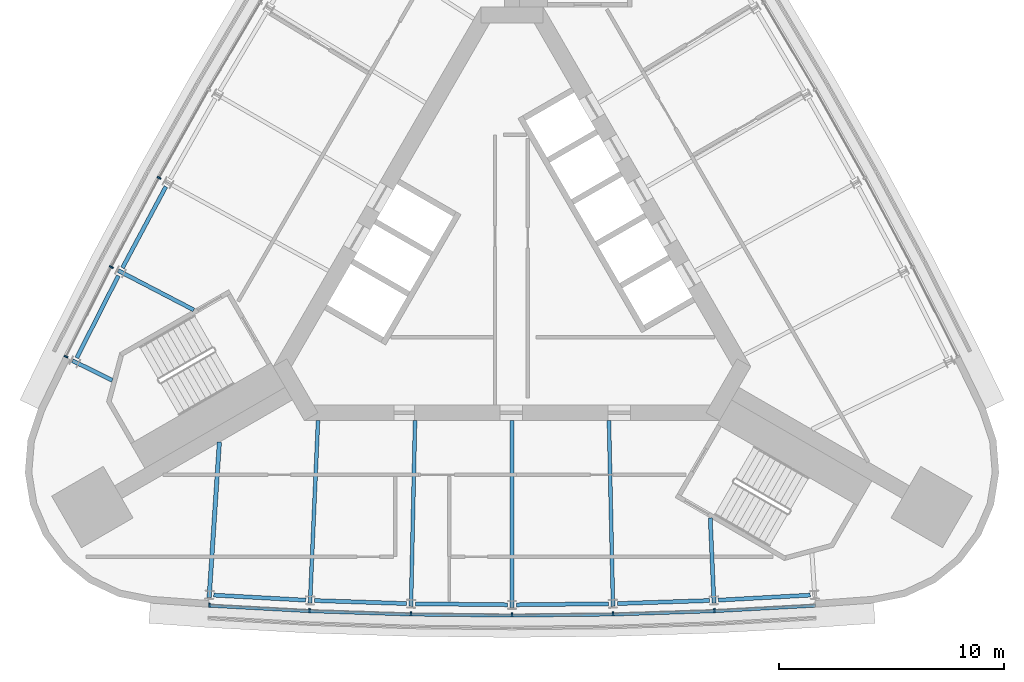
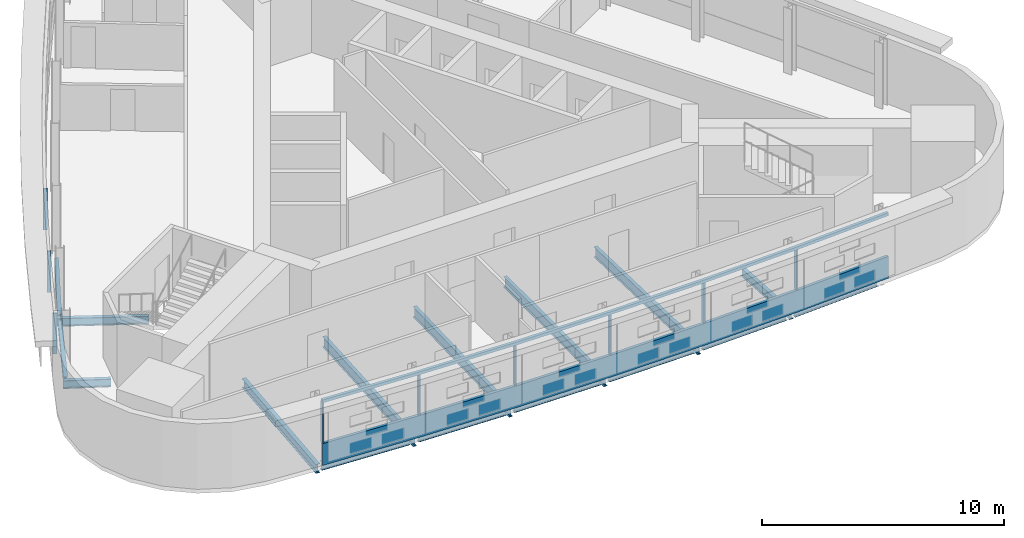
# One storey, part 2 of 11: 16 beams, 11 members, 2 elements without a shape of their own.
"""IFC4 building model written with IfcOpenShell, lengths in metres."""

import ifcopenshell
import ifcopenshell.guid

model = None  # the IFC model being written
_history = None  # IfcOwnerHistory: only IFC2X3 demands one
_inside = {}  # id of a spatial element -> (the spatial element, [elements in it])
_under = {}  # id of a project, library or spatial element -> (it, [spatial elements below it])
_declared = {}  # id of a project -> (the project, [libraries it declares])
_typed = {}  # id of a type object -> (the type object, [elements of that type])
_made_of = {}  # id of a material, layer set ... -> (it, [elements and type objects made of it])


def new_model(schema):
    """Start an empty IFC model of exactly this schema.

    Asked for "IFC4X3", IfcOpenShell would pick the latest addendum, in which some entities
    have other attributes; the version numbers below select the first issue.
    IFC2X3 requires an IfcOwnerHistory on every rooted entity: one is made here for all.
    """
    global model, _history
    if schema == "IFC4X3":
        model = ifcopenshell.file(schema_version=(4, 3, 0, 0))
    else:
        model = ifcopenshell.file(schema=schema)
    _inside.clear()
    _under.clear()
    _declared.clear()
    _typed.clear()
    _made_of.clear()
    _history = None
    if model.schema == "IFC2X3":
        org = make("IfcOrganization", Name="unknown")
        user = make(
            "IfcPersonAndOrganization",
            ThePerson=make("IfcPerson", FamilyName="unknown"),
            TheOrganization=org,
        )
        app = make(
            "IfcApplication",
            ApplicationDeveloper=org,
            Version="unknown",
            ApplicationFullName="unknown",
            ApplicationIdentifier="unknown",
        )
        _history = make(
            "IfcOwnerHistory",
            OwningUser=user,
            OwningApplication=app,
            ChangeAction="ADDED",
            CreationDate=0,
        )
    return model


def make(cls, **values):
    """One entity of the class cls with the attributes given. An attribute that is None is left unset."""
    return model.create_entity(
        cls, **{name: value for name, value in values.items() if value is not None}
    )


def rooted(cls, **values):
    """An entity with a GlobalId (a new one), such as an element, a storey or a relation."""
    return make(cls, GlobalId=ifcopenshell.guid.new(), OwnerHistory=_history, **values)


def si_unit(unit_type, name, prefix=None):
    """IfcSIUnit, for example si_unit("LENGTHUNIT", "METRE", prefix="MILLI")."""
    return make("IfcSIUnit", UnitType=unit_type, Prefix=prefix, Name=name)


def assignment(units):
    """IfcUnitAssignment: the units of a project."""
    return None if units is None else make("IfcUnitAssignment", Units=units)


def point(xyz):
    """IfcCartesianPoint."""
    return None if xyz is None else make("IfcCartesianPoint", Coordinates=xyz)


def direction(xyz):
    """IfcDirection."""
    return None if xyz is None else make("IfcDirection", DirectionRatios=xyz)


def frame(location, z_axis=None, x_axis=None):
    """IfcAxis2Placement3D, a coordinate frame: its origin and axes. An axis left out is left unset."""
    return make(
        "IfcAxis2Placement3D",
        Location=point(location),
        Axis=direction(z_axis),
        RefDirection=direction(x_axis),
    )


def frame_2d(location, x_axis=None):
    """IfcAxis2Placement2D, a coordinate frame in the plane: its origin and x axis."""
    return make(
        "IfcAxis2Placement2D", Location=point(location), RefDirection=direction(x_axis)
    )


def origin():
    """The frame at (0, 0, 0) with its axes left unset."""
    return frame((0.0, 0.0, 0.0))


def origin_2d():
    """The frame at (0, 0) in the plane with its x axis left unset."""
    return frame_2d((0.0, 0.0))


def place(relative_to, where):
    """IfcLocalPlacement: puts the frame where relative to a parent placement (None: the world)."""
    return make(
        "IfcLocalPlacement", PlacementRelTo=relative_to, RelativePlacement=where
    )


def context(
    kind, dimensions, precision=None, world=None, true_north=None, identifier=None
):
    """IfcGeometricRepresentationContext, for example the 3D "Model" context."""
    return make(
        "IfcGeometricRepresentationContext",
        ContextIdentifier=identifier,
        ContextType=kind,
        CoordinateSpaceDimension=dimensions,
        Precision=precision,
        WorldCoordinateSystem=world,
        TrueNorth=true_north,
    )


def subcontext(parent, identifier, kind, view, scale=None):
    """IfcGeometricRepresentationSubContext, for example "Body" below "Model"."""
    return make(
        "IfcGeometricRepresentationSubContext",
        ContextIdentifier=identifier,
        ContextType=kind,
        ParentContext=parent,
        TargetScale=scale,
        TargetView=view,
    )


def project(units=None, contexts=None):
    """IfcProject with its units and contexts."""
    return rooted(
        "IfcProject",
        Name="project",
        RepresentationContexts=contexts,
        UnitsInContext=assignment(units),
    )


def spatial(cls, under=None, at=None, **own):
    """A site, building, storey or space (cls), placed at a placement, below another one or the project."""
    s = rooted(cls, ObjectPlacement=at, **own)
    if under is not None:
        _under.setdefault(under.id(), (under, []))[1].append(s)
    return s


def polyline(points):
    """IfcPolyline through the points."""
    return make("IfcPolyline", Points=[point(p) for p in points])


def profile(cls, at=None, kind="AREA", **sizes):
    """A parametric profile (cls). Its sizes go by their IFC names, for example OverallWidth=200.0."""
    return make(cls, ProfileType=kind, Position=at, **sizes)


def rectangle(**sizes):
    """IfcRectangleProfileDef."""
    return profile("IfcRectangleProfileDef", **sizes)


def i_section(**sizes):
    """IfcIShapeProfileDef."""
    return profile("IfcIShapeProfileDef", **sizes)


def outline(outer, holes=None, kind="AREA"):
    """IfcArbitraryClosedProfileDef: a profile drawn as a closed curve; with holes, ...WithVoids."""
    if holes is None:
        return make("IfcArbitraryClosedProfileDef", ProfileType=kind, OuterCurve=outer)
    return make(
        "IfcArbitraryProfileDefWithVoids",
        ProfileType=kind,
        OuterCurve=outer,
        InnerCurves=holes,
    )


def extrude(swept, where, along, depth):
    """IfcExtrudedAreaSolid: the profile swept, set in the frame where, extruded along a direction by depth."""
    return make(
        "IfcExtrudedAreaSolid",
        SweptArea=swept,
        Position=where,
        ExtrudedDirection=direction(along),
        Depth=depth,
    )


def shape(context_of_items, identifier, shape_type, items):
    """IfcShapeRepresentation: the items that make up one representation, for example the "Body"."""
    return make(
        "IfcShapeRepresentation",
        ContextOfItems=context_of_items,
        RepresentationIdentifier=identifier,
        RepresentationType=shape_type,
        Items=items,
    )


def material(Name=None, Category=None):
    """IfcMaterial."""
    return make("IfcMaterial", Name=Name, Category=Category)


def material_profile(
    of_material, cross_section, Name=None, Category=None, Priority=None
):
    """IfcMaterialProfile: a cross section and its material."""
    return make(
        "IfcMaterialProfile",
        Name=Name,
        Material=of_material,
        Profile=cross_section,
        Priority=Priority,
        Category=Category,
    )


def profile_set(profiles, Name=None, composite=None):
    """IfcMaterialProfileSet."""
    return make(
        "IfcMaterialProfileSet",
        Name=Name,
        MaterialProfiles=profiles,
        CompositeProfile=composite,
    )


def made_of(thing, what):
    """Note that an element or type object is made of a material, layer set ...; save() writes the relation."""
    if what is not None:
        _made_of.setdefault(what.id(), (what, []))[1].append(thing)
    return thing


def type_object(cls, material=None, **own):
    """A type object (cls), such as IfcWallType, which elements share."""
    return made_of(rooted(cls, **own), material)


def element(
    cls,
    number,
    at=None,
    inside=None,
    cuts=None,
    type_object=None,
    material=None,
    context=None,
    identifier="Body",
    shape_type=None,
    held_by="IfcProductDefinitionShape",
    body=None,
    shapes=None,
    **own,
):
    """One element of the class cls, such as IfcWall. Its Tag is "e" and its number.

    at: its placement. inside: the storey or other place that contains it. cuts: it is an
    opening in that element (IfcRelVoidsElement). A single representation is given by context,
    identifier, shape_type and body (its items); several are given by shapes. held_by: the class
    of the entity that holds the representations. save() writes the other relations.
    """
    e = rooted(cls, Tag="e%d" % number, ObjectPlacement=at, **own)
    if body is not None:
        shapes = [shape(context, identifier, shape_type, body)]
    if shapes is not None:
        e.Representation = make(held_by, Representations=shapes)
    if inside is not None:
        _inside.setdefault(inside.id(), (inside, []))[1].append(e)
    if cuts is not None:
        rooted(
            "IfcRelVoidsElement", RelatingBuildingElement=cuts, RelatedOpeningElement=e
        )
    if type_object is not None:
        _typed.setdefault(type_object.id(), (type_object, []))[1].append(e)
    return made_of(e, material)


def aggregate(whole, parts):
    """IfcRelAggregates: a whole, such as a stair, and the parts it consists of."""
    return rooted("IfcRelAggregates", RelatingObject=whole, RelatedObjects=parts)


def save(model, path):
    """Write the relations noted so far, then the file.

    IfcRelAggregates (storeys below a building ...), IfcRelContainedInSpatialStructure (elements
    in a storey), IfcRelDefinesByType, IfcRelAssociatesMaterial and IfcRelDeclares: one each for
    every whole, place, type object, material and project.
    """
    for whole, parts in _under.values():
        aggregate(whole, parts)
    for where, things in _inside.values():
        rooted(
            "IfcRelContainedInSpatialStructure",
            RelatedElements=things,
            RelatingStructure=where,
        )
    for kind, things in _typed.values():
        rooted("IfcRelDefinesByType", RelatedObjects=things, RelatingType=kind)
    for what, things in _made_of.values():
        rooted("IfcRelAssociatesMaterial", RelatedObjects=things, RelatingMaterial=what)
    for by, libraries in _declared.values():
        rooted("IfcRelDeclares", RelatingContext=by, RelatedDefinitions=libraries)
    model.write(path)


model = new_model("IFC4")

# Units and contexts
model_context = context("Model", 3, precision=1e-05, world=origin(), true_north=direction((0.0, 1.0)))
body_context = subcontext(model_context, "Body", "Model", "MODEL_VIEW")
ifc_project = project(units=[si_unit("LENGTHUNIT", "METRE"), si_unit("AREAUNIT", "SQUARE_METRE"), si_unit("VOLUMEUNIT", "CUBIC_METRE"), si_unit("PLANEANGLEUNIT", "RADIAN"), si_unit("MASSUNIT", "GRAM", prefix="KILO")], contexts=[model_context])

# Site, building, storey
site_placement = place(None, origin())
site = spatial("IfcSite", under=ifc_project, at=site_placement, CompositionType="ELEMENT")
building_placement = place(site_placement, origin())
building = spatial("IfcBuilding", under=site, at=building_placement, Name="Noor Cloister Tower", CompositionType="ELEMENT")
storey_placement = place(building_placement, frame((0.0, 0.0, 206.699951171875)))
storey = spatial("IfcBuildingStorey", under=building, at=storey_placement, Name="L53", CompositionType="ELEMENT", Elevation=206.699951171875)

# Curtain wall, member
ifc_material_1 = material(Name="Aluminium 6063-T6 anodised", Category="aluminium")
curtain_wall_type = type_object("IfcCurtainWallType", Name="Ribbon curtain wall, upper tower CW5", PredefinedType="NOTDEFINED", material=ifc_material_1)
curtain_wall_1_placement = place(storey_placement, origin())
curtain_wall_1 = element("IfcCurtainWall", 1, at=curtain_wall_1_placement, inside=storey, type_object=curtain_wall_type, Name="CW5 L53 S run 2", PredefinedType="NOTDEFINED")
ifc_material_2 = material(Name="Aluminium 6063-T6 anodised", Category="aluminium")
member_type_1 = type_object("IfcMemberType", Name="Head transom CW5 150", PredefinedType="USERDEFINED", material=ifc_material_2)
member_1_placement = place(storey_placement, frame((0.0, 0.0, 3.150146484375)))
member_1 = element("IfcMember", 2, at=member_1_placement, type_object=member_type_1, Name="CW5 head transom", ObjectType="TRANSOM", PredefinedType="USERDEFINED", context=body_context, shape_type="SweptSolid", body=[
    extrude(outline(polyline([(-13.490234375, -15.2236328125), (-8.9970703125, -15.469970703125), (-4.499755859375, -15.61767578125), (0.0, -15.666748046875), (4.499755859375, -15.61767578125), (8.9970703125, -15.469970703125), (13.490234375, -15.2236328125), (13.482666015625, -15.083984375), (8.990966796875, -15.330078125), (4.49658203125, -15.4775390625), (0.0, -15.52685546875), (-4.49658203125, -15.4775390625), (-8.990966796875, -15.330078125), (-13.482666015625, -15.083984375), (-13.490234375, -15.2236328125)])), origin(), (0.0, 0.0, 1.0), 0.14990234375),
])

# Curtain wall, members
curtain_wall_2_placement = place(storey_placement, origin())
curtain_wall_2 = element("IfcCurtainWall", 3, at=curtain_wall_2_placement, inside=storey, type_object=curtain_wall_type, Name="CW5 L53 NW run 1", PredefinedType="NOTDEFINED")
ifc_material_3 = material(Name="Aluminium 6063-T6 anodised", Category="aluminium")
ifc_material_profile_1 = material_profile(ifc_material_3, rectangle(XDim=0.179931640625, YDim=0.070068359375, at=origin_2d()), Name="180 x 70 mullion")
ifc_profile_set_1 = profile_set([ifc_material_profile_1], Name="Aluminium 6063-T6 anodised")
member_type_2 = type_object("IfcMemberType", Name="Mullion CW5 70 x 180", PredefinedType="MULLION", material=ifc_profile_set_1)
member_2_placement = place(storey_placement, frame((-15.687255859375, 3.864013671875, 1.10009765625), z_axis=(0.0, 0.0, 1.0), x_axis=(0.876762750316, -0.480923153589, 0.0)))
member_2 = element("IfcMember", 4, at=member_2_placement, type_object=member_type_2, Name="CW5 mullion 5", PredefinedType="MULLION", context=body_context, shape_type="SweptSolid", body=[
    extrude(rectangle(XDim=0.179931640625, YDim=0.070068359375, at=origin_2d()), origin(), (0.0, 0.0, 1.0), 2.050048828125),
])
member_3_placement = place(storey_placement, frame((-17.80712890625, -0.10302734375, 1.10009765625), z_axis=(0.0, 0.0, 1.0), x_axis=(0.887079929457, -0.461615856264, 0.0)))
member_3 = element("IfcMember", 5, at=member_3_placement, type_object=member_type_2, Name="CW5 mullion 6", PredefinedType="MULLION", context=body_context, shape_type="SweptSolid", body=[
    extrude(rectangle(XDim=0.179931640625, YDim=0.070068359375, at=origin_2d()), origin(), (0.0, 0.0, 1.0), 2.050048828125),
])
member_4_placement = place(storey_placement, frame((-19.82421875, -4.0849609375, 1.10009765625), z_axis=(0.0, 0.0, 1.0), x_axis=(0.892079410493, -0.451878662226, 0.0)))
member_4 = element("IfcMember", 6, at=member_4_placement, type_object=member_type_2, Name="CW5 mullion 7", PredefinedType="MULLION", context=body_context, shape_type="SweptSolid", body=[
    extrude(rectangle(XDim=0.179931640625, YDim=0.070068359375, at=origin_2d()), origin(), (0.0, 0.0, 1.0), 2.050048828125),
])
aggregate(curtain_wall_2, [member_2, member_3, member_4])

# Member
member_5_placement = place(storey_placement, frame((-13.449951171875, -15.125732421875, 1.10009765625), z_axis=(0.0, 0.0, 1.0), x_axis=(0.054701304331, 0.998502762793, 0.0)))
member_5 = element("IfcMember", 7, at=member_5_placement, type_object=member_type_2, Name="CW5 mullion 1", PredefinedType="MULLION", context=body_context, shape_type="SweptSolid", body=[
    extrude(rectangle(XDim=0.179931640625, YDim=0.070068359375, at=origin_2d()), origin(), (0.0, 0.0, 1.0), 2.050048828125),
])

member_6_placement = place(storey_placement, frame((-8.99267578125, -15.369873046875, 1.10009765625), z_axis=(0.0, 0.0, 1.0), x_axis=(0.043768906415, 0.999041682229, 0.0)))
member_6 = element("IfcMember", 8, at=member_6_placement, type_object=member_type_2, Name="CW5 mullion 2", PredefinedType="MULLION", context=body_context, shape_type="SweptSolid", body=[
    extrude(rectangle(XDim=0.179931640625, YDim=0.070068359375, at=origin_2d()), origin(), (0.0, 0.0, 1.0), 2.050048828125),
])

member_7_placement = place(storey_placement, frame((-4.49755859375, -15.517578125, 1.10009765625), z_axis=(0.0, 0.0, 1.0), x_axis=(0.021889706882, 0.99976039166, 0.0)))
member_7 = element("IfcMember", 9, at=member_7_placement, type_object=member_type_2, Name="CW5 mullion 3", PredefinedType="MULLION", context=body_context, shape_type="SweptSolid", body=[
    extrude(rectangle(XDim=0.179931640625, YDim=0.070068359375, at=origin_2d()), origin(), (0.0, 0.0, 1.0), 2.050048828125),
])

member_8_placement = place(storey_placement, frame((0.0, -15.56689453125, 1.10009765625), z_axis=(0.0, 0.0, 1.0), x_axis=(0.0, 1.0, 0.0)))
member_8 = element("IfcMember", 10, at=member_8_placement, type_object=member_type_2, Name="CW5 mullion 4", PredefinedType="MULLION", context=body_context, shape_type="SweptSolid", body=[
    extrude(rectangle(XDim=0.179931640625, YDim=0.070068359375, at=origin_2d()), origin(), (0.0, 0.0, 1.0), 2.050048828125),
])

member_9_placement = place(storey_placement, frame((4.49755859375, -15.517578125, 1.10009765625), z_axis=(0.0, 0.0, 1.0), x_axis=(-0.021889706882, 0.99976039166, 0.0)))
member_9 = element("IfcMember", 11, at=member_9_placement, type_object=member_type_2, Name="CW5 mullion 5", PredefinedType="MULLION", context=body_context, shape_type="SweptSolid", body=[
    extrude(rectangle(XDim=0.179931640625, YDim=0.070068359375, at=origin_2d()), origin(), (0.0, 0.0, 1.0), 2.050048828125),
])

member_10_placement = place(storey_placement, frame((8.99267578125, -15.369873046875, 1.10009765625), z_axis=(0.0, 0.0, 1.0), x_axis=(-0.043768906415, 0.999041682229, 0.0)))
member_10 = element("IfcMember", 12, at=member_10_placement, type_object=member_type_2, Name="CW5 mullion 6", PredefinedType="MULLION", context=body_context, shape_type="SweptSolid", body=[
    extrude(rectangle(XDim=0.179931640625, YDim=0.070068359375, at=origin_2d()), origin(), (0.0, 0.0, 1.0), 2.050048828125),
])

# Beams
ifc_material_4 = material(Name="Steel ASTM A992 Gr 50", Category="steel")
ifc_material_profile_2 = material_profile(ifc_material_4, i_section(OverallWidth=0.177978515625, OverallDepth=0.406005859375, WebThickness=0.0078125, FlangeThickness=0.0126953125, FilletRadius=0.01025390625, at=origin_2d()), Name="W410x60")
ifc_profile_set_2 = profile_set([ifc_material_profile_2], Name="Steel ASTM A992 Gr 50")
beam_type_1 = type_object("IfcBeamType", Name="Radial beam W410x60", PredefinedType="BEAM", material=ifc_profile_set_2)
beam_1_placement = place(storey_placement, frame((-17.50732421875, -0.259033203125, -0.40283203125), z_axis=(0.887090103739, -0.46159630398, 0.0), x_axis=(0.46159630398, 0.887090103739, 0.0)))
element("IfcBeam", 13, at=beam_1_placement, inside=storey, type_object=beam_type_1, Name="Radial beam NW 06 L53", PredefinedType="BEAM", context=body_context, shape_type="SweptSolid", body=[
    extrude(i_section(OverallWidth=0.177978515625, OverallDepth=0.406005859375, WebThickness=0.0078125, FlangeThickness=0.0126953125, FilletRadius=0.01025390625, at=origin_2d()), origin(), (0.0, 0.0, 1.0), 3.786865234375),
])
beam_2_placement = place(storey_placement, frame((-19.536376953125, -4.2646484375, -0.40283203125), z_axis=(0.896939506753, -0.442153277977, 0.0), x_axis=(0.442153277977, 0.896939506753, 0.0)))
element("IfcBeam", 14, at=beam_2_placement, inside=storey, type_object=beam_type_1, Name="Radial beam NW 07 L53", PredefinedType="BEAM", context=body_context, shape_type="SweptSolid", body=[
    extrude(i_section(OverallWidth=0.177978515625, OverallDepth=0.406005859375, WebThickness=0.0078125, FlangeThickness=0.0126953125, FilletRadius=0.01025390625, at=origin_2d()), origin(), (0.0, 0.0, 1.0), 1.97119140625),
])
beam_3_placement = place(storey_placement, frame((8.97802734375, -15.0322265625, -0.40283203125), z_axis=(-0.04377293556, 0.999041505701, 0.0), x_axis=(-0.999041505701, -0.04377293556, 0.0)))
element("IfcBeam", 15, at=beam_3_placement, inside=storey, type_object=beam_type_1, Name="Radial beam S 06 L53", PredefinedType="BEAM", context=body_context, shape_type="SweptSolid", body=[
    extrude(i_section(OverallWidth=0.177978515625, OverallDepth=0.406005859375, WebThickness=0.0078125, FlangeThickness=0.0126953125, FilletRadius=0.01025390625, at=origin_2d()), origin(), (0.0, 0.0, 1.0), 3.787109375),
])
ifc_material_5 = material(Name="Steel ASTM A992 Gr 50", Category="steel")
ifc_material_profile_3 = material_profile(ifc_material_5, i_section(OverallWidth=0.19091796875, OverallDepth=0.45703125, WebThickness=0.009033203125, FlangeThickness=0.014404296875, FilletRadius=0.01025390625, at=origin_2d()), Name="W460x74")
ifc_profile_set_3 = profile_set([ifc_material_profile_3], Name="Steel ASTM A992 Gr 50")
beam_type_2 = type_object("IfcBeamType", Name="Radial beam W460x74", PredefinedType="BEAM", material=ifc_profile_set_3)
beam_4_placement = place(storey_placement, frame((-13.461669921875, -14.78662109375, -0.428466796875), z_axis=(0.06565680667, 0.997842263957, 0.0), x_axis=(-0.997842263957, 0.06565680667, 0.0)))
element("IfcBeam", 16, at=beam_4_placement, inside=storey, type_object=beam_type_2, Name="Radial beam S 01 L53", PredefinedType="BEAM", context=body_context, shape_type="SweptSolid", body=[
    extrude(i_section(OverallWidth=0.19091796875, OverallDepth=0.45703125, WebThickness=0.009033203125, FlangeThickness=0.014404296875, FilletRadius=0.01025390625, at=origin_2d()), origin(), (0.0, 0.0, 1.0), 6.916259765625),
])
ifc_material_6 = material(Name="Steel ASTM A992 Gr 50", Category="steel")
ifc_material_profile_4 = material_profile(ifc_material_6, i_section(OverallWidth=0.166015625, OverallDepth=0.528076171875, WebThickness=0.009765625, FlangeThickness=0.013671875, FilletRadius=0.0126953125, at=origin_2d()), Name="W530x74")
ifc_profile_set_4 = profile_set([ifc_material_profile_4], Name="Steel ASTM A992 Gr 50")
beam_type_3 = type_object("IfcBeamType", Name="Radial beam W530x74", PredefinedType="BEAM", material=ifc_profile_set_4)
beam_5_placement = place(storey_placement, frame((-8.97802734375, -15.0322265625, -0.4638671875), z_axis=(0.043791173942, 0.99904070642, 0.0), x_axis=(-0.99904070642, 0.043791173942, 0.0)))
element("IfcBeam", 17, at=beam_5_placement, inside=storey, type_object=beam_type_3, Name="Radial beam S 02 L53", PredefinedType="BEAM", context=body_context, shape_type="SweptSolid", body=[
    extrude(i_section(OverallWidth=0.166015625, OverallDepth=0.528076171875, WebThickness=0.009765625, FlangeThickness=0.013671875, FilletRadius=0.0126953125, at=origin_2d()), origin(), (0.0, 0.0, 1.0), 8.11181640625),
])
beam_6_placement = place(storey_placement, frame((-4.489990234375, -15.1796875, -0.4638671875), z_axis=(0.02188954058, 0.999760395301, 0.0), x_axis=(-0.999760395301, 0.02188954058, 0.0)))
element("IfcBeam", 18, at=beam_6_placement, inside=storey, type_object=beam_type_3, Name="Radial beam S 03 L53", PredefinedType="BEAM", context=body_context, shape_type="SweptSolid", body=[
    extrude(i_section(OverallWidth=0.166015625, OverallDepth=0.528076171875, WebThickness=0.009765625, FlangeThickness=0.013671875, FilletRadius=0.0126953125, at=origin_2d()), origin(), (0.0, 0.0, 1.0), 8.25341796875),
])
beam_7_placement = place(storey_placement, frame((0.0, -15.228759765625, -0.4638671875), z_axis=(0.0, 1.0, 0.0), x_axis=(-1.0, 0.0, 0.0)))
element("IfcBeam", 19, at=beam_7_placement, inside=storey, type_object=beam_type_3, Name="Radial beam S 04 L53", PredefinedType="BEAM", context=body_context, shape_type="SweptSolid", body=[
    extrude(i_section(OverallWidth=0.166015625, OverallDepth=0.528076171875, WebThickness=0.009765625, FlangeThickness=0.013671875, FilletRadius=0.0126953125, at=origin_2d()), origin(), (0.0, 0.0, 1.0), 8.300537109375),
])
beam_8_placement = place(storey_placement, frame((4.489990234375, -15.1796875, -0.4638671875), z_axis=(-0.02188954058, 0.999760395301, 0.0), x_axis=(-0.999760395301, -0.02188954058, 0.0)))
element("IfcBeam", 20, at=beam_8_placement, inside=storey, type_object=beam_type_3, Name="Radial beam S 05 L53", PredefinedType="BEAM", context=body_context, shape_type="SweptSolid", body=[
    extrude(i_section(OverallWidth=0.166015625, OverallDepth=0.528076171875, WebThickness=0.009765625, FlangeThickness=0.013671875, FilletRadius=0.0126953125, at=origin_2d()), origin(), (0.0, 0.0, 1.0), 8.25341796875),
])

# Member
ifc_material_7 = material(Name="Aluminium 6063-T6 anodised", Category="aluminium")
member_type_3 = type_object("IfcMemberType", Name="Sill transom CW5 1100", PredefinedType="USERDEFINED", material=ifc_material_7)
member_11_placement = place(storey_placement, origin())
member_11 = element("IfcMember", 21, at=member_11_placement, type_object=member_type_3, Name="CW5 sill transom", ObjectType="TRANSOM", PredefinedType="USERDEFINED", context=body_context, shape_type="SweptSolid", body=[
    extrude(outline(polyline([(-13.490234375, -15.2236328125), (-8.9970703125, -15.469970703125), (-4.499755859375, -15.61767578125), (0.0, -15.666748046875), (4.499755859375, -15.61767578125), (8.9970703125, -15.469970703125), (13.490234375, -15.2236328125), (13.482666015625, -15.083984375), (8.990966796875, -15.330078125), (4.49658203125, -15.4775390625), (0.0, -15.52685546875), (-4.49658203125, -15.4775390625), (-8.990966796875, -15.330078125), (-13.482666015625, -15.083984375), (-13.490234375, -15.2236328125)])), origin(), (0.0, 0.0, 1.0), 1.10009765625),
])

aggregate(curtain_wall_1, [member_5, member_6, member_7, member_8, member_9, member_10, member_11, member_1])

# Beams
ifc_material_8 = material(Name="Steel ASTM A992 Gr 50", Category="steel")
ifc_material_profile_5 = material_profile(ifc_material_8, i_section(OverallWidth=0.177978515625, OverallDepth=0.406005859375, WebThickness=0.0078125, FlangeThickness=0.0126953125, FilletRadius=0.01025390625, at=origin_2d()), Name="W410x60")
ifc_profile_set_5 = profile_set([ifc_material_profile_5], Name="Steel ASTM A992 Gr 50")
beam_type_4 = type_object("IfcBeamType", Name="Spandrel beam W410x60", PredefinedType="SPANDREL", material=ifc_profile_set_5)
beam_9_placement = place(storey_placement, frame((-15.3857421875, 3.4736328125, -0.40283203125), z_axis=(-0.471309290778, -0.881967999661, 0.0), x_axis=(0.881967999661, -0.471309290778, 0.0)))
element("IfcBeam", 22, at=beam_9_placement, inside=storey, type_object=beam_type_4, Name="Spandrel beam NW 05 L53", PredefinedType="SPANDREL", context=body_context, shape_type="SweptSolid", body=[
    extrude(i_section(OverallWidth=0.177978515625, OverallDepth=0.406005859375, WebThickness=0.0078125, FlangeThickness=0.0126953125, FilletRadius=0.01025390625, at=origin_2d()), origin(), (0.0, 0.0, 1.0), 4.09375),
])
for number, where, z_axis, x_axis, name in (
    (23, (-17.4970703125, -0.486328125, -0.40283203125), (-0.451859126389, -0.892089306011, 0.0), (0.892089306011, -0.451859126389, 0.0), "Spandrel beam NW 06 L53"),
    (24, (-13.257568359375, -14.685546875, -0.40283203125), (0.998500455994, -0.05474339576, 0.0), (0.05474339576, 0.998500455994, 0.0), "Spandrel beam S 01 L53"),
):
    element("IfcBeam", number, at=place(storey_placement, frame(where, z_axis=z_axis, x_axis=x_axis)), inside=storey, type_object=beam_type_4, Name=name, PredefinedType="SPANDREL", context=body_context, shape_type="SweptSolid", body=[
        extrude(i_section(OverallWidth=0.177978515625, OverallDepth=0.406005859375, WebThickness=0.0078125, FlangeThickness=0.0126953125, FilletRadius=0.01025390625, at=origin_2d()), origin(), (0.0, 0.0, 1.0), 4.093994140625),
    ])
for number, where, z_axis, x_axis, name in (
    (25, (-8.776123046875, -14.9267578125, -0.40283203125), (0.999459961049, -0.032860101351, 0.0), (0.032860101351, 0.999459961049, 0.0), "Spandrel beam S 02 L53"),
    (26, (-4.29052734375, -15.06982421875, -0.40283203125), (0.999939791792, -0.010973276179, 0.0), (0.010973276179, 0.999939791792, 0.0), "Spandrel beam S 03 L53"),
    (27, (0.197021484375, -15.11474609375, -0.40283203125), (0.999939791792, 0.010973276179, 0.0), (-0.010973276179, 0.999939791792, 0.0), "Spandrel beam S 04 L53"),
    (28, (4.6845703125, -15.061279296875, -0.40283203125), (0.999459961049, 0.032860101351, 0.0), (-0.032860101351, 0.999459961049, 0.0), "Spandrel beam S 05 L53"),
):
    element("IfcBeam", number, at=place(storey_placement, frame(where, z_axis=z_axis, x_axis=x_axis)), inside=storey, type_object=beam_type_4, Name=name, PredefinedType="SPANDREL", context=body_context, shape_type="SweptSolid", body=[
        extrude(i_section(OverallWidth=0.177978515625, OverallDepth=0.406005859375, WebThickness=0.0078125, FlangeThickness=0.0126953125, FilletRadius=0.01025390625, at=origin_2d()), origin(), (0.0, 0.0, 1.0), 4.09375),
    ])
beam_10_placement = place(storey_placement, frame((9.169677734375, -14.90966796875, -0.40283203125), z_axis=(0.998500455994, 0.05474339576, 0.0), x_axis=(-0.05474339576, 0.998500455994, 0.0)))
element("IfcBeam", 29, at=beam_10_placement, inside=storey, type_object=beam_type_4, Name="Spandrel beam S 06 L53", PredefinedType="SPANDREL", context=body_context, shape_type="SweptSolid", body=[
    extrude(i_section(OverallWidth=0.177978515625, OverallDepth=0.406005859375, WebThickness=0.0078125, FlangeThickness=0.0126953125, FilletRadius=0.01025390625, at=origin_2d()), origin(), (0.0, 0.0, 1.0), 4.093994140625),
])

save(model, "model.ifc")
